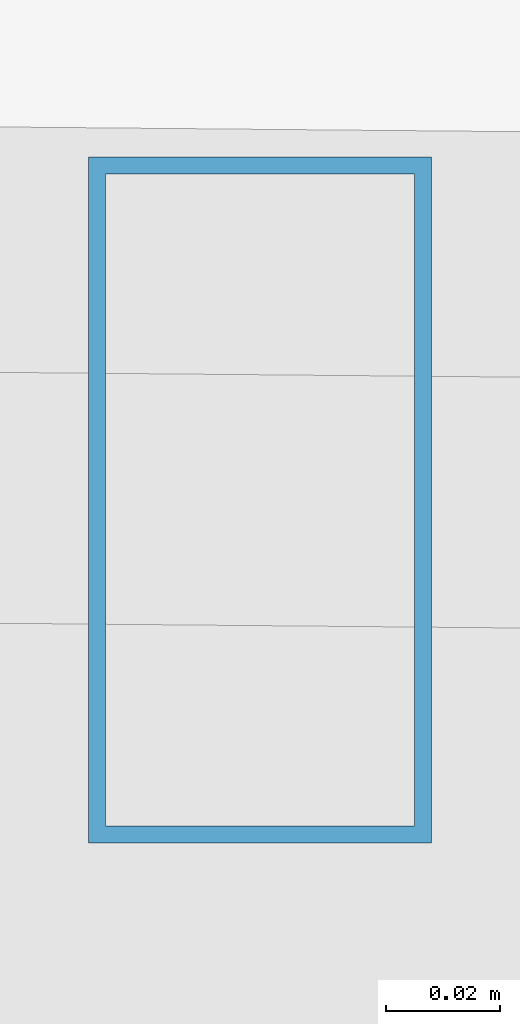
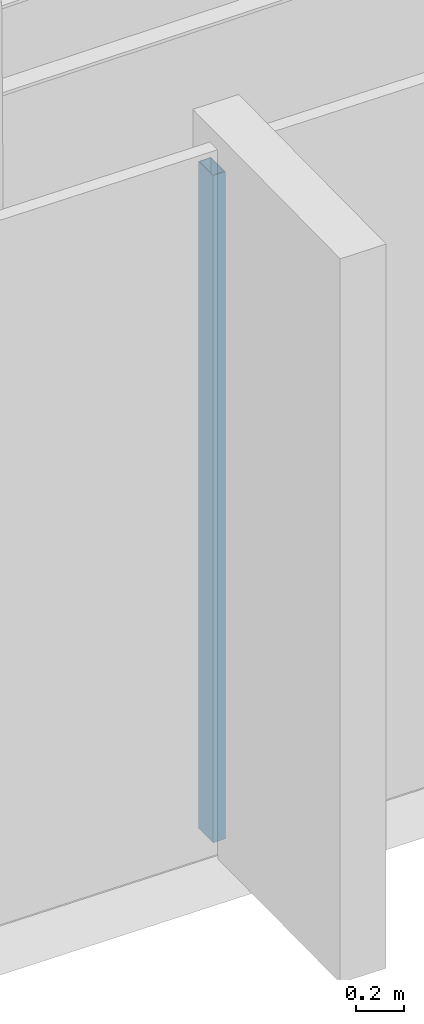
# One storey, part 15 of 47: 1 member, 1 element without a shape of its own.
"""IFC4 building model written with IfcOpenShell, lengths in metres."""

from ifc_helpers import new_model, si_unit, direction, frame, origin, origin_2d, place, context, subcontext, project, spatial, hollow_rectangle, extrude, source, transform, mapped, material, material_profile, profile_set, type_object, type_shapes, element, aggregate, save


model = new_model("IFC4")

# Units and contexts
model_context = context("Model", 3, precision=1e-05, world=origin(), true_north=direction((0.0, 1.0)))
body_context = subcontext(model_context, "Body", "Model", "MODEL_VIEW")
ifc_project = project(units=[si_unit("LENGTHUNIT", "METRE"), si_unit("AREAUNIT", "SQUARE_METRE"), si_unit("VOLUMEUNIT", "CUBIC_METRE"), si_unit("PLANEANGLEUNIT", "RADIAN"), si_unit("MASSUNIT", "GRAM", prefix="KILO")], contexts=[model_context])

# Site, building, storey
site_placement = place(None, origin())
site = spatial("IfcSite", under=ifc_project, at=site_placement, CompositionType="ELEMENT")
building_placement = place(site_placement, origin())
building = spatial("IfcBuilding", under=site, at=building_placement, Name="Caelisora Broadcast Tower", CompositionType="ELEMENT")
storey_placement = place(building_placement, frame((0.0, 0.0, 248.10009765625)))
storey = spatial("IfcBuildingStorey", under=building, at=storey_placement, Name="L65", CompositionType="ELEMENT", Elevation=248.10009765625)

# Curtain wall, member
ifc_material_1 = material(Name="Unitised Aluminium Insulated Shadow-Box Spandrel Curtain Wall", Category="aluminium")
curtain_wall_type = type_object("IfcCurtainWallType", Name="CW-SP3", PredefinedType="NOTDEFINED", material=ifc_material_1)
curtain_wall_placement = place(storey_placement, origin())
curtain_wall = element("IfcCurtainWall", 1, at=curtain_wall_placement, inside=storey, type_object=curtain_wall_type, Name="L65 curtain wall CW-SP3", PredefinedType="NOTDEFINED")
ifc_material_2 = material(Name="Aluminium 6063-T6 Anodised Terracotta Bronze", Category="aluminium")
ifc_material_profile = material_profile(ifc_material_2, hollow_rectangle(XDim=0.06005859375, YDim=0.1201171875, WallThickness=0.0029296875, at=origin_2d()), Name="Aluminium 6063-T6 Anodised Terracotta Bronze")
ifc_profile_set = profile_set([ifc_material_profile], Name="Aluminium 6063-T6 Anodised Terracotta Bronze")
member_type = type_object("IfcMemberType", Name="CWM-04", PredefinedType="MULLION", material=ifc_profile_set)
shared_shape = source(origin(), body_context, "Body", "SweptSolid", [
    extrude(hollow_rectangle(XDim=0.06005859375, YDim=0.1201171875, WallThickness=0.0029296875, at=origin_2d()), origin(), (0.0, 0.0, 1.0), 3.39990234375),
])
type_shapes(member_type, [shared_shape])
member_placement = place(storey_placement, frame((44.47412109375, 7.693603515625, 0.0), z_axis=(0.0, 0.0, 1.0), x_axis=(1.0, 0.0, 0.0)))
member = element("IfcMember", 2, at=member_placement, type_object=member_type, Name="L65-CW-B06 mullion #0", PredefinedType="MULLION", context=body_context, shape_type="MappedRepresentation", body=[
    mapped(shared_shape, transform((0.0, 0.0, 0.0), scale=1.0)),
])
aggregate(curtain_wall, [member])

save(model, "model.ifc")
